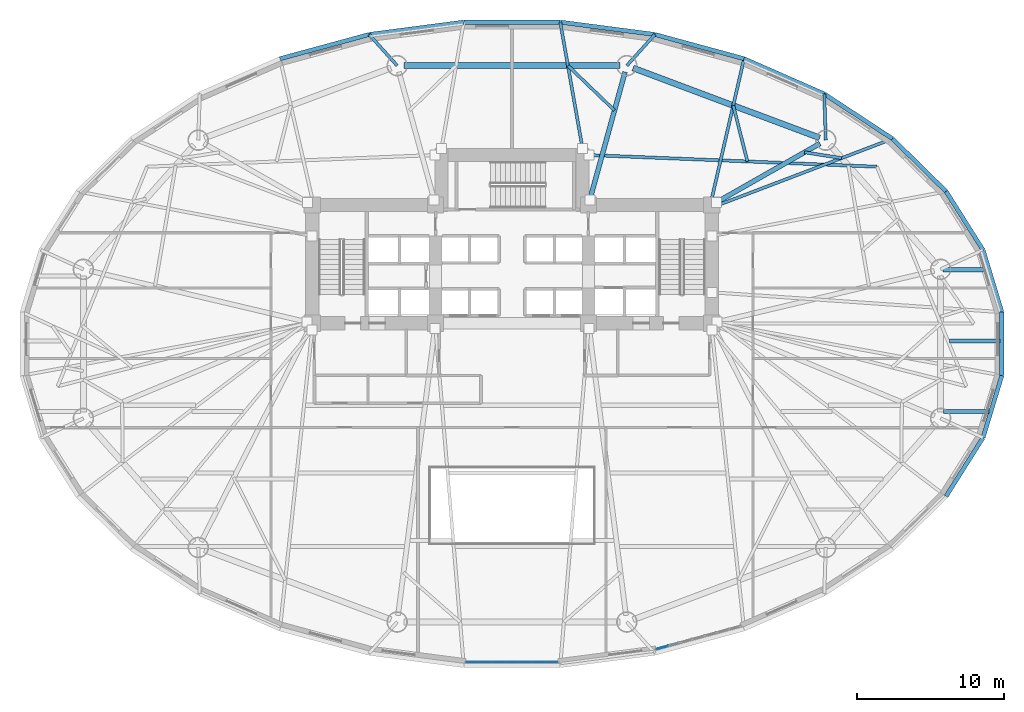
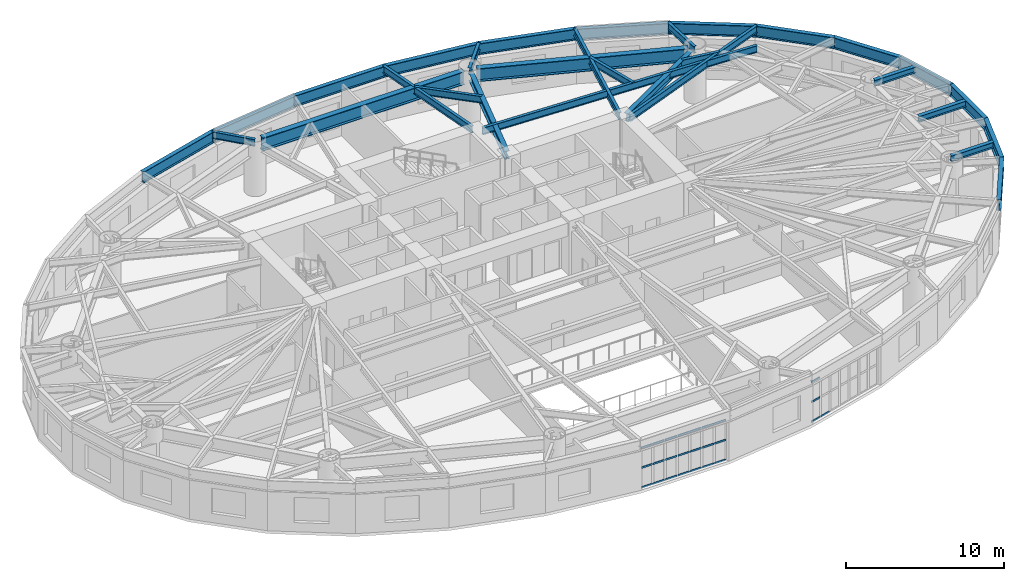
# One storey, part 6 of 19: 30 beams, 25 members, 2 elements without a shape of their own.
"""IFC4 building model written with IfcOpenShell, lengths in metres."""

from ifc_helpers import new_model, si_unit, direction, frame, origin, origin_2d, place, context, subcontext, project, spatial, rectangle, i_section, extrude, material, layer, layer_set, material_profile, profile_set, type_object, element, aggregate, save


model = new_model("IFC4")

# Units and contexts
model_context = context("Model", 3, precision=1e-05, world=origin(), true_north=direction((0.0, 1.0)))
body_context = subcontext(model_context, "Body", "Model", "MODEL_VIEW")
ifc_project = project(units=[si_unit("LENGTHUNIT", "METRE"), si_unit("AREAUNIT", "SQUARE_METRE"), si_unit("VOLUMEUNIT", "CUBIC_METRE"), si_unit("PLANEANGLEUNIT", "RADIAN"), si_unit("MASSUNIT", "GRAM", prefix="KILO")], contexts=[model_context])

# Site, building, storey
site_placement = place(None, origin())
site = spatial("IfcSite", under=ifc_project, at=site_placement, CompositionType="ELEMENT")
building_placement = place(site_placement, origin())
building = spatial("IfcBuilding", under=site, at=building_placement, Name="Keldmark Tower", CompositionType="ELEMENT")
storey_placement = place(building_placement, frame((0.0, 0.0, 10.199951171875)))
storey = spatial("IfcBuildingStorey", under=building, at=storey_placement, Name="L02", CompositionType="ELEMENT", Elevation=10.199951171875)

# Beams
ifc_material_1 = material(Name="Steel ASTM A992 Grade 50", Category="steel")
ifc_material_profile_1 = material_profile(ifc_material_1, i_section(OverallWidth=0.280029296875, OverallDepth=0.462890625, WebThickness=0.0107421875, FlangeThickness=0.017333984375, at=origin_2d()), Name="W18X76")
ifc_profile_set_1 = profile_set([ifc_material_profile_1], Name="Steel ASTM A992 Grade 50")
beam_type_1 = type_object("IfcBeamType", Name="Composite Floor Joist W18X76", PredefinedType="JOIST", material=ifc_profile_set_1)
beam_1_placement = place(storey_placement, frame((29.363037109375, -4.60009765625, 3.74853515625), z_axis=(1.0, 0.0, 0.0), x_axis=(0.0, 1.0, 0.0)))
element("IfcBeam", 1, at=beam_1_placement, inside=storey, type_object=beam_type_1, Name="L02 Composite Floor Joist J25", PredefinedType="JOIST", context=body_context, shape_type="SweptSolid", body=[
    extrude(i_section(OverallWidth=0.280029296875, OverallDepth=0.462890625, WebThickness=0.0107421875, FlangeThickness=0.017333984375, at=origin_2d()), origin(), (0.0, 0.0, 1.0), 3.092041015625),
])
beam_2_placement = place(storey_placement, frame((29.77001953125, 0.199951171875, 3.74853515625), z_axis=(1.0, 0.0, 0.0), x_axis=(0.0, 1.0, 0.0)))
element("IfcBeam", 2, at=beam_2_placement, inside=storey, type_object=beam_type_1, Name="L02 Composite Floor Joist J27", PredefinedType="JOIST", context=body_context, shape_type="SweptSolid", body=[
    extrude(i_section(OverallWidth=0.280029296875, OverallDepth=0.462890625, WebThickness=0.0107421875, FlangeThickness=0.017333984375, at=origin_2d()), origin(), (0.0, 0.0, 1.0), 3.431640625),
])
beam_3_placement = place(storey_placement, frame((29.337646484375, 5.0400390625, 3.74853515625), z_axis=(1.0, 0.0, 0.0), x_axis=(0.0, 1.0, 0.0)))
element("IfcBeam", 3, at=beam_3_placement, inside=storey, type_object=beam_type_1, Name="L02 Composite Floor Joist J29", PredefinedType="JOIST", context=body_context, shape_type="SweptSolid", body=[
    extrude(i_section(OverallWidth=0.280029296875, OverallDepth=0.462890625, WebThickness=0.0107421875, FlangeThickness=0.017333984375, at=origin_2d()), origin(), (0.0, 0.0, 1.0), 2.984375),
])

# Curtain wall, members
ifc_material_2 = material(Name="Unitized Thermally Broken Aluminum and Triple Low-E Glazing", Category="aluminium")
ifc_layer = layer(ifc_material_2, 0.219970703125)
ifc_layer_set = layer_set([ifc_layer], Name="Unitized Thermally Broken Aluminum and Triple Low-E Glazing")
curtain_wall_type = type_object("IfcCurtainWallType", Name="Podium Wintergarden Curtain Wall System", PredefinedType="NOTDEFINED", material=ifc_layer_set)
curtain_wall_1_placement = place(storey_placement, origin())
curtain_wall_1 = element("IfcCurtainWall", 4, at=curtain_wall_1_placement, inside=storey, type_object=curtain_wall_type, Name="L02 Podium Wintergarden Curtain Wall System CW-L02-24", PredefinedType="NOTDEFINED")
ifc_material_3 = material(Name="Extruded Aluminum Alloy 6063-T6", Category="aluminium")
ifc_material_profile_2 = material_profile(ifc_material_3, rectangle(XDim=0.06005859375, YDim=0.139892578125, at=origin_2d()), Name="CWT60X140")
ifc_profile_set_2 = profile_set([ifc_material_profile_2], Name="Extruded Aluminum Alloy 6063-T6")
member_type = type_object("IfcMemberType", Name="Curtain Wall Horizontal Transom 60x140", PredefinedType="USERDEFINED", material=ifc_profile_set_2)
member_1_placement = place(storey_placement, frame((3.08349609375, -21.654052734375, 0.030029296875), z_axis=(-1.0, 0.0, 0.0), x_axis=(0.0, -1.0, 0.0)))
member_1 = element("IfcMember", 5, at=member_1_placement, type_object=member_type, Name="CW transom 1.1", ObjectType="TRANSOM", PredefinedType="USERDEFINED", context=body_context, shape_type="SweptSolid", body=[
    extrude(rectangle(XDim=0.06005859375, YDim=0.139892578125, at=origin_2d()), origin(), (0.0, 0.0, 1.0), 0.80810546875),
])
member_2_placement = place(storey_placement, frame((3.08349609375, -21.654052734375, 1.554443359375), z_axis=(-1.0, 0.0, 0.0), x_axis=(0.0, -1.0, 0.0)))
member_2 = element("IfcMember", 6, at=member_2_placement, type_object=member_type, Name="CW transom 1.2", ObjectType="TRANSOM", PredefinedType="USERDEFINED", context=body_context, shape_type="SweptSolid", body=[
    extrude(rectangle(XDim=0.06005859375, YDim=0.139892578125, at=origin_2d()), origin(), (0.0, 0.0, 1.0), 0.80810546875),
])
member_3_placement = place(storey_placement, frame((3.08349609375, -21.654052734375, 3.0791015625), z_axis=(-1.0, 0.0, 0.0), x_axis=(0.0, -1.0, 0.0)))
member_3 = element("IfcMember", 7, at=member_3_placement, type_object=member_type, Name="CW transom 1.3", ObjectType="TRANSOM", PredefinedType="USERDEFINED", context=body_context, shape_type="SweptSolid", body=[
    extrude(rectangle(XDim=0.06005859375, YDim=0.139892578125, at=origin_2d()), origin(), (0.0, 0.0, 1.0), 0.80810546875),
])
member_4_placement = place(storey_placement, frame((2.21533203125, -21.654052734375, 0.030029296875), z_axis=(-1.0, 0.0, 0.0), x_axis=(0.0, -1.0, 0.0)))
member_4 = element("IfcMember", 8, at=member_4_placement, type_object=member_type, Name="CW transom 2.1", ObjectType="TRANSOM", PredefinedType="USERDEFINED", context=body_context, shape_type="SweptSolid", body=[
    extrude(rectangle(XDim=0.06005859375, YDim=0.139892578125, at=origin_2d()), origin(), (0.0, 0.0, 1.0), 0.838134765625),
])
member_5_placement = place(storey_placement, frame((2.21533203125, -21.654052734375, 1.554443359375), z_axis=(-1.0, 0.0, 0.0), x_axis=(0.0, -1.0, 0.0)))
member_5 = element("IfcMember", 9, at=member_5_placement, type_object=member_type, Name="CW transom 2.2", ObjectType="TRANSOM", PredefinedType="USERDEFINED", context=body_context, shape_type="SweptSolid", body=[
    extrude(rectangle(XDim=0.06005859375, YDim=0.139892578125, at=origin_2d()), origin(), (0.0, 0.0, 1.0), 0.838134765625),
])
member_6_placement = place(storey_placement, frame((2.21533203125, -21.654052734375, 3.0791015625), z_axis=(-1.0, 0.0, 0.0), x_axis=(0.0, -1.0, 0.0)))
member_6 = element("IfcMember", 10, at=member_6_placement, type_object=member_type, Name="CW transom 2.3", ObjectType="TRANSOM", PredefinedType="USERDEFINED", context=body_context, shape_type="SweptSolid", body=[
    extrude(rectangle(XDim=0.06005859375, YDim=0.139892578125, at=origin_2d()), origin(), (0.0, 0.0, 1.0), 0.838134765625),
])
member_7_placement = place(storey_placement, frame((1.317138671875, -21.654052734375, 0.030029296875), z_axis=(-1.0, 0.0, 0.0), x_axis=(0.0, -1.0, 0.0)))
member_7 = element("IfcMember", 11, at=member_7_placement, type_object=member_type, Name="CW transom 3.1", ObjectType="TRANSOM", PredefinedType="USERDEFINED", context=body_context, shape_type="SweptSolid", body=[
    extrude(rectangle(XDim=0.06005859375, YDim=0.139892578125, at=origin_2d()), origin(), (0.0, 0.0, 1.0), 0.838134765625),
])
member_8_placement = place(storey_placement, frame((1.317138671875, -21.654052734375, 1.554443359375), z_axis=(-1.0, 0.0, 0.0), x_axis=(0.0, -1.0, 0.0)))
member_8 = element("IfcMember", 12, at=member_8_placement, type_object=member_type, Name="CW transom 3.2", ObjectType="TRANSOM", PredefinedType="USERDEFINED", context=body_context, shape_type="SweptSolid", body=[
    extrude(rectangle(XDim=0.06005859375, YDim=0.139892578125, at=origin_2d()), origin(), (0.0, 0.0, 1.0), 0.838134765625),
])
member_9_placement = place(storey_placement, frame((1.317138671875, -21.654052734375, 3.0791015625), z_axis=(-1.0, 0.0, 0.0), x_axis=(0.0, -1.0, 0.0)))
member_9 = element("IfcMember", 13, at=member_9_placement, type_object=member_type, Name="CW transom 3.3", ObjectType="TRANSOM", PredefinedType="USERDEFINED", context=body_context, shape_type="SweptSolid", body=[
    extrude(rectangle(XDim=0.06005859375, YDim=0.139892578125, at=origin_2d()), origin(), (0.0, 0.0, 1.0), 0.838134765625),
])
member_10_placement = place(storey_placement, frame((0.419189453125, -21.654052734375, 0.030029296875), z_axis=(-1.0, 0.0, 0.0), x_axis=(0.0, -1.0, 0.0)))
member_10 = element("IfcMember", 14, at=member_10_placement, type_object=member_type, Name="CW transom 4.1", ObjectType="TRANSOM", PredefinedType="USERDEFINED", context=body_context, shape_type="SweptSolid", body=[
    extrude(rectangle(XDim=0.06005859375, YDim=0.139892578125, at=origin_2d()), origin(), (0.0, 0.0, 1.0), 0.83837890625),
])
member_11_placement = place(storey_placement, frame((0.419189453125, -21.654052734375, 1.554443359375), z_axis=(-1.0, 0.0, 0.0), x_axis=(0.0, -1.0, 0.0)))
member_11 = element("IfcMember", 15, at=member_11_placement, type_object=member_type, Name="CW transom 4.2", ObjectType="TRANSOM", PredefinedType="USERDEFINED", context=body_context, shape_type="SweptSolid", body=[
    extrude(rectangle(XDim=0.06005859375, YDim=0.139892578125, at=origin_2d()), origin(), (0.0, 0.0, 1.0), 0.83837890625),
])
member_12_placement = place(storey_placement, frame((0.419189453125, -21.654052734375, 3.0791015625), z_axis=(-1.0, 0.0, 0.0), x_axis=(0.0, -1.0, 0.0)))
member_12 = element("IfcMember", 16, at=member_12_placement, type_object=member_type, Name="CW transom 4.3", ObjectType="TRANSOM", PredefinedType="USERDEFINED", context=body_context, shape_type="SweptSolid", body=[
    extrude(rectangle(XDim=0.06005859375, YDim=0.139892578125, at=origin_2d()), origin(), (0.0, 0.0, 1.0), 0.83837890625),
])
member_13_placement = place(storey_placement, frame((-0.47900390625, -21.654052734375, 0.030029296875), z_axis=(-1.0, 0.0, 0.0), x_axis=(0.0, -1.0, 0.0)))
member_13 = element("IfcMember", 17, at=member_13_placement, type_object=member_type, Name="CW transom 5.1", ObjectType="TRANSOM", PredefinedType="USERDEFINED", context=body_context, shape_type="SweptSolid", body=[
    extrude(rectangle(XDim=0.06005859375, YDim=0.139892578125, at=origin_2d()), origin(), (0.0, 0.0, 1.0), 0.838134765625),
])
member_14_placement = place(storey_placement, frame((-0.47900390625, -21.654052734375, 1.554443359375), z_axis=(-1.0, 0.0, 0.0), x_axis=(0.0, -1.0, 0.0)))
member_14 = element("IfcMember", 18, at=member_14_placement, type_object=member_type, Name="CW transom 5.2", ObjectType="TRANSOM", PredefinedType="USERDEFINED", context=body_context, shape_type="SweptSolid", body=[
    extrude(rectangle(XDim=0.06005859375, YDim=0.139892578125, at=origin_2d()), origin(), (0.0, 0.0, 1.0), 0.838134765625),
])
member_15_placement = place(storey_placement, frame((-0.47900390625, -21.654052734375, 3.0791015625), z_axis=(-1.0, 0.0, 0.0), x_axis=(0.0, -1.0, 0.0)))
member_15 = element("IfcMember", 19, at=member_15_placement, type_object=member_type, Name="CW transom 5.3", ObjectType="TRANSOM", PredefinedType="USERDEFINED", context=body_context, shape_type="SweptSolid", body=[
    extrude(rectangle(XDim=0.06005859375, YDim=0.139892578125, at=origin_2d()), origin(), (0.0, 0.0, 1.0), 0.838134765625),
])
member_16_placement = place(storey_placement, frame((-1.377197265625, -21.654052734375, 0.030029296875), z_axis=(-1.0, 0.0, 0.0), x_axis=(0.0, -1.0, 0.0)))
member_16 = element("IfcMember", 20, at=member_16_placement, type_object=member_type, Name="CW transom 6.1", ObjectType="TRANSOM", PredefinedType="USERDEFINED", context=body_context, shape_type="SweptSolid", body=[
    extrude(rectangle(XDim=0.06005859375, YDim=0.139892578125, at=origin_2d()), origin(), (0.0, 0.0, 1.0), 0.838134765625),
])
member_17_placement = place(storey_placement, frame((-1.377197265625, -21.654052734375, 1.554443359375), z_axis=(-1.0, 0.0, 0.0), x_axis=(0.0, -1.0, 0.0)))
member_17 = element("IfcMember", 21, at=member_17_placement, type_object=member_type, Name="CW transom 6.2", ObjectType="TRANSOM", PredefinedType="USERDEFINED", context=body_context, shape_type="SweptSolid", body=[
    extrude(rectangle(XDim=0.06005859375, YDim=0.139892578125, at=origin_2d()), origin(), (0.0, 0.0, 1.0), 0.838134765625),
])
member_18_placement = place(storey_placement, frame((-1.377197265625, -21.654052734375, 3.0791015625), z_axis=(-1.0, 0.0, 0.0), x_axis=(0.0, -1.0, 0.0)))
member_18 = element("IfcMember", 22, at=member_18_placement, type_object=member_type, Name="CW transom 6.3", ObjectType="TRANSOM", PredefinedType="USERDEFINED", context=body_context, shape_type="SweptSolid", body=[
    extrude(rectangle(XDim=0.06005859375, YDim=0.139892578125, at=origin_2d()), origin(), (0.0, 0.0, 1.0), 0.838134765625),
])
member_19_placement = place(storey_placement, frame((-2.275390625, -21.654052734375, 0.030029296875), z_axis=(-1.0, 0.0, 0.0), x_axis=(0.0, -1.0, 0.0)))
member_19 = element("IfcMember", 23, at=member_19_placement, type_object=member_type, Name="CW transom 7.1", ObjectType="TRANSOM", PredefinedType="USERDEFINED", context=body_context, shape_type="SweptSolid", body=[
    extrude(rectangle(XDim=0.06005859375, YDim=0.139892578125, at=origin_2d()), origin(), (0.0, 0.0, 1.0), 0.80810546875),
])
member_20_placement = place(storey_placement, frame((-2.275390625, -21.654052734375, 1.554443359375), z_axis=(-1.0, 0.0, 0.0), x_axis=(0.0, -1.0, 0.0)))
member_20 = element("IfcMember", 24, at=member_20_placement, type_object=member_type, Name="CW transom 7.2", ObjectType="TRANSOM", PredefinedType="USERDEFINED", context=body_context, shape_type="SweptSolid", body=[
    extrude(rectangle(XDim=0.06005859375, YDim=0.139892578125, at=origin_2d()), origin(), (0.0, 0.0, 1.0), 0.80810546875),
])
member_21_placement = place(storey_placement, frame((-2.275390625, -21.654052734375, 3.0791015625), z_axis=(-1.0, 0.0, 0.0), x_axis=(0.0, -1.0, 0.0)))
member_21 = element("IfcMember", 25, at=member_21_placement, type_object=member_type, Name="CW transom 7.3", ObjectType="TRANSOM", PredefinedType="USERDEFINED", context=body_context, shape_type="SweptSolid", body=[
    extrude(rectangle(XDim=0.06005859375, YDim=0.139892578125, at=origin_2d()), origin(), (0.0, 0.0, 1.0), 0.80810546875),
])
aggregate(curtain_wall_1, [member_1, member_2, member_3, member_4, member_5, member_6, member_7, member_8, member_9, member_10, member_11, member_12, member_13, member_14, member_15, member_16, member_17, member_18, member_19, member_20, member_21])

curtain_wall_2_placement = place(storey_placement, origin())
curtain_wall_2 = element("IfcCurtainWall", 26, at=curtain_wall_2_placement, inside=storey, type_object=curtain_wall_type, Name="L02 Podium Wintergarden Curtain Wall System CW-L02-26", PredefinedType="NOTDEFINED")
member_22_placement = place(storey_placement, frame((11.424072265625, -20.341796875, 0.030029296875), z_axis=(-0.964954135758, -0.262418589059, 0.0), x_axis=(0.262418589059, -0.964954135758, 0.0)))
member_22 = element("IfcMember", 27, at=member_22_placement, type_object=member_type, Name="CW transom 6.1", ObjectType="TRANSOM", PredefinedType="USERDEFINED", context=body_context, shape_type="SweptSolid", body=[
    extrude(rectangle(XDim=0.06005859375, YDim=0.139892578125, at=origin_2d()), origin(), (0.0, 0.0, 1.0), 0.79833984375),
])
member_23_placement = place(storey_placement, frame((10.595703125, -20.56689453125, 0.030029296875), z_axis=(-0.964924998517, -0.262525707765, 0.0), x_axis=(0.262525707765, -0.964924998517, 0.0)))
member_23 = element("IfcMember", 28, at=member_23_placement, type_object=member_type, Name="CW transom 7.1", ObjectType="TRANSOM", PredefinedType="USERDEFINED", context=body_context, shape_type="SweptSolid", body=[
    extrude(rectangle(XDim=0.06005859375, YDim=0.139892578125, at=origin_2d()), origin(), (0.0, 0.0, 1.0), 0.76806640625),
])
member_24_placement = place(storey_placement, frame((10.595703125, -20.56689453125, 1.554443359375), z_axis=(-0.964924998517, -0.262525707765, 0.0), x_axis=(0.262525707765, -0.964924998517, 0.0)))
member_24 = element("IfcMember", 29, at=member_24_placement, type_object=member_type, Name="CW transom 7.2", ObjectType="TRANSOM", PredefinedType="USERDEFINED", context=body_context, shape_type="SweptSolid", body=[
    extrude(rectangle(XDim=0.06005859375, YDim=0.139892578125, at=origin_2d()), origin(), (0.0, 0.0, 1.0), 0.76806640625),
])
member_25_placement = place(storey_placement, frame((10.595703125, -20.56689453125, 3.0791015625), z_axis=(-0.964924998517, -0.262525707765, 0.0), x_axis=(0.262525707765, -0.964924998517, 0.0)))
member_25 = element("IfcMember", 30, at=member_25_placement, type_object=member_type, Name="CW transom 7.3", ObjectType="TRANSOM", PredefinedType="USERDEFINED", context=body_context, shape_type="SweptSolid", body=[
    extrude(rectangle(XDim=0.06005859375, YDim=0.139892578125, at=origin_2d()), origin(), (0.0, 0.0, 1.0), 0.76806640625),
])
aggregate(curtain_wall_2, [member_22, member_23, member_24, member_25])

# Beams
ifc_material_4 = material(Name="Steel ASTM A992 Grade 50", Category="steel")
ifc_material_profile_3 = material_profile(ifc_material_4, i_section(OverallWidth=0.402099609375, OverallDepth=1.011962890625, WebThickness=0.023681640625, FlangeThickness=0.0419921875, at=origin_2d()), Name="W40X297")
ifc_profile_set_3 = profile_set([ifc_material_profile_3], Name="Steel ASTM A992 Grade 50")
beam_type_2 = type_object("IfcBeamType", Name="Podium Primary Girder W40X297", PredefinedType="BEAM", material=ifc_profile_set_3)
beam_4_placement = place(storey_placement, frame((20.93310546875, 14.01708984375, 3.47412109375), z_axis=(-0.936417954382, 0.350886612329, 0.0), x_axis=(-0.350886612329, -0.936417954382, 0.0)))
element("IfcBeam", 31, at=beam_4_placement, inside=storey, type_object=beam_type_2, Name="L02 Podium Ring Girder PG-R02", PredefinedType="BEAM", context=body_context, shape_type="SweptSolid", body=[
    extrude(i_section(OverallWidth=0.402099609375, OverallDepth=1.011962890625, WebThickness=0.023681640625, FlangeThickness=0.0419921875, at=origin_2d()), origin(), (0.0, 0.0, 1.0), 13.557373046875),
])
beam_5_placement = place(storey_placement, frame((7.3662109375, 18.93212890625, 3.47412109375), z_axis=(-1.0, 0.0, 0.0), x_axis=(0.0, -1.0, 0.0)))
element("IfcBeam", 32, at=beam_5_placement, inside=storey, type_object=beam_type_2, Name="L02 Podium Ring Girder PG-R03", PredefinedType="BEAM", context=body_context, shape_type="SweptSolid", body=[
    extrude(i_section(OverallWidth=0.402099609375, OverallDepth=1.011962890625, WebThickness=0.023681640625, FlangeThickness=0.0419921875, at=origin_2d()), origin(), (0.0, 0.0, 1.0), 14.732421875),
])
ifc_material_5 = material(Name="Steel ASTM A992 Grade 50", Category="steel")
ifc_material_profile_4 = material_profile(ifc_material_5, i_section(OverallWidth=0.2099609375, OverallDepth=0.537109375, WebThickness=0.010986328125, FlangeThickness=0.017333984375, at=origin_2d()), Name="W21X68")
ifc_profile_set_4 = profile_set([ifc_material_profile_4], Name="Steel ASTM A992 Grade 50")
beam_type_3 = type_object("IfcBeamType", Name="Radial Tie Girder W21X68", PredefinedType="BEAM", material=ifc_profile_set_4)
beam_6_placement = place(storey_placement, frame((5.25, 12.85009765625, 3.711669921875), z_axis=(0.999176318744, -0.040579355112, 0.0), x_axis=(0.040579355112, 0.999176318744, 0.0)))
element("IfcBeam", 33, at=beam_6_placement, inside=storey, type_object=beam_type_3, Name="L02 Sub-Ring Step Girder STP1-M01", PredefinedType="BEAM", context=body_context, shape_type="SweptSolid", body=[
    extrude(i_section(OverallWidth=0.2099609375, OverallDepth=0.537109375, WebThickness=0.010986328125, FlangeThickness=0.017333984375, at=origin_2d()), origin(), (0.0, 0.0, 1.0), 19.601318359375),
])
beam_7_placement = place(storey_placement, frame((19.904541015625, 13.034912109375, 3.711669921875), z_axis=(0.988136063904, -0.153580985843, 0.0), x_axis=(0.153580985843, 0.988136063904, 0.0)))
element("IfcBeam", 34, at=beam_7_placement, inside=storey, type_object=beam_type_3, Name="L02 Framing Pin Header PH-010", PredefinedType="BEAM", context=body_context, shape_type="SweptSolid", body=[
    extrude(i_section(OverallWidth=0.2099609375, OverallDepth=0.537109375, WebThickness=0.010986328125, FlangeThickness=0.017333984375, at=origin_2d()), origin(), (0.0, 0.0, 1.0), 2.564208984375),
])
beam_8_placement = place(storey_placement, frame((14.050048828125, 9.449951171875, 3.711669921875), z_axis=(0.934642662924, 0.355588375293, 0.0), x_axis=(-0.355588375293, 0.934642662924, 0.0)))
element("IfcBeam", 35, at=beam_8_placement, inside=storey, type_object=beam_type_3, Name="L02 Perimeter Radial Tie Girder RT-04", PredefinedType="BEAM", context=body_context, shape_type="SweptSolid", body=[
    extrude(i_section(OverallWidth=0.2099609375, OverallDepth=0.537109375, WebThickness=0.010986328125, FlangeThickness=0.017333984375, at=origin_2d()), origin(), (0.0, 0.0, 1.0), 12.67431640625),
])
beam_9_placement = place(storey_placement, frame((21.3544921875, 13.859375, 3.711669921875), z_axis=(-0.032491176768, 0.999472022336, 0.0), x_axis=(-0.999472022336, -0.032491176768, 0.0)))
element("IfcBeam", 36, at=beam_9_placement, inside=storey, type_object=beam_type_3, Name="L02 Perimeter Column Bracket RT-05", PredefinedType="BEAM", context=body_context, shape_type="SweptSolid", body=[
    extrude(i_section(OverallWidth=0.2099609375, OverallDepth=0.537109375, WebThickness=0.010986328125, FlangeThickness=0.017333984375, at=origin_2d()), origin(), (0.0, 0.0, 1.0), 3.1484375),
])
beam_10_placement = place(storey_placement, frame((16.02197265625, 12.41259765625, 3.711669921875), z_axis=(-0.245606779521, 0.969369542462, 0.0), x_axis=(-0.969369542462, -0.245606779521, 0.0)))
element("IfcBeam", 37, at=beam_10_placement, inside=storey, type_object=beam_type_3, Name="L02 Framing Pin Header PH-011", PredefinedType="BEAM", context=body_context, shape_type="SweptSolid", body=[
    extrude(i_section(OverallWidth=0.2099609375, OverallDepth=0.537109375, WebThickness=0.010986328125, FlangeThickness=0.017333984375, at=origin_2d()), origin(), (0.0, 0.0, 1.0), 3.926513671875),
])
beam_11_placement = place(storey_placement, frame((13.60009765625, 9.89990234375, 3.711669921875), z_axis=(0.224740658325, 0.974418614608, 0.0), x_axis=(-0.974418614608, 0.224740658325, 0.0)))
element("IfcBeam", 38, at=beam_11_placement, inside=storey, type_object=beam_type_3, Name="L02 Perimeter Radial Tie Girder RT-06", PredefinedType="BEAM", context=body_context, shape_type="SweptSolid", body=[
    extrude(i_section(OverallWidth=0.2099609375, OverallDepth=0.537109375, WebThickness=0.010986328125, FlangeThickness=0.017333984375, at=origin_2d()), origin(), (0.0, 0.0, 1.0), 9.751953125),
])
beam_12_placement = place(storey_placement, frame((7.81640625, 18.93212890625, 3.711669921875), z_axis=(0.668898533975, 0.743353718795, 0.0), x_axis=(-0.743353718795, 0.668898533975, 0.0)))
element("IfcBeam", 39, at=beam_12_placement, inside=storey, type_object=beam_type_3, Name="L02 Perimeter Column Bracket RT-07", PredefinedType="BEAM", context=body_context, shape_type="SweptSolid", body=[
    extrude(i_section(OverallWidth=0.2099609375, OverallDepth=0.537109375, WebThickness=0.010986328125, FlangeThickness=0.017333984375, at=origin_2d()), origin(), (0.0, 0.0, 1.0), 2.852783203125),
])
beam_13_placement = place(storey_placement, frame((6.9755859375, 15.885009765625, 3.711669921875), z_axis=(-0.720880013375, 0.69305988653, 0.0), x_axis=(-0.69305988653, -0.720880013375, 0.0)))
element("IfcBeam", 40, at=beam_13_placement, inside=storey, type_object=beam_type_3, Name="L02 Framing Pin Header PH-012", PredefinedType="BEAM", context=body_context, shape_type="SweptSolid", body=[
    extrude(i_section(OverallWidth=0.2099609375, OverallDepth=0.537109375, WebThickness=0.010986328125, FlangeThickness=0.017333984375, at=origin_2d()), origin(), (0.0, 0.0, 1.0), 4.396728515625),
])
beam_14_placement = place(storey_placement, frame((4.800048828125, 13.300048828125, 3.711669921875), z_axis=(-0.173759798583, 0.984788064711, 0.0), x_axis=(-0.984788064711, -0.173759798583, 0.0)))
element("IfcBeam", 41, at=beam_14_placement, inside=storey, type_object=beam_type_3, Name="L02 Perimeter Radial Tie Girder RT-08", PredefinedType="BEAM", context=body_context, shape_type="SweptSolid", body=[
    extrude(i_section(OverallWidth=0.2099609375, OverallDepth=0.537109375, WebThickness=0.010986328125, FlangeThickness=0.017333984375, at=origin_2d()), origin(), (0.0, 0.0, 1.0), 8.726806640625),
])
beam_15_placement = place(storey_placement, frame((-7.81640625, 18.93212890625, 3.711669921875), z_axis=(-0.668898533975, 0.743353718795, 0.0), x_axis=(-0.743353718795, -0.668898533975, 0.0)))
element("IfcBeam", 42, at=beam_15_placement, inside=storey, type_object=beam_type_3, Name="L02 Perimeter Column Bracket RT-10", PredefinedType="BEAM", context=body_context, shape_type="SweptSolid", body=[
    extrude(i_section(OverallWidth=0.2099609375, OverallDepth=0.537109375, WebThickness=0.010986328125, FlangeThickness=0.017333984375, at=origin_2d()), origin(), (0.0, 0.0, 1.0), 2.852783203125),
])
ifc_material_6 = material(Name="Steel ASTM A992 Grade 50", Category="steel")
ifc_material_profile_5 = material_profile(ifc_material_6, i_section(OverallWidth=0.326904296875, OverallDepth=0.6220703125, WebThickness=0.015380859375, FlangeThickness=0.0244140625, at=origin_2d()), Name="W24X131")
ifc_profile_set_5 = profile_set([ifc_material_profile_5], Name="Steel ASTM A992 Grade 50")
beam_type_4 = type_object("IfcBeamType", Name="Spandrel Ring Beam W24X131", PredefinedType="SPANDREL", material=ifc_profile_set_5)
beam_16_placement = place(storey_placement, frame((20.96337890625, 13.636962890625, 3.6689453125), z_axis=(-0.869293918493, -0.494295542434, 0.0), x_axis=(0.494295542434, -0.869293918493, 0.0)))
element("IfcBeam", 43, at=beam_16_placement, inside=storey, type_object=beam_type_4, Name="L02 Podium Radial Girder PG-C02", PredefinedType="SPANDREL", context=body_context, shape_type="SweptSolid", body=[
    extrude(i_section(OverallWidth=0.326904296875, OverallDepth=0.6220703125, WebThickness=0.015380859375, FlangeThickness=0.0244140625, at=origin_2d()), origin(), (0.0, 0.0, 1.0), 8.120361328125),
])
beam_17_placement = place(storey_placement, frame((7.696533203125, 18.498291015625, 3.6689453125), z_axis=(-0.265960165124, -0.963984019871, 0.0), x_axis=(0.963984019871, -0.265960165124, 0.0)))
element("IfcBeam", 44, at=beam_17_placement, inside=storey, type_object=beam_type_4, Name="L02 Podium Radial Girder PG-C03", PredefinedType="SPANDREL", context=body_context, shape_type="SweptSolid", body=[
    extrude(i_section(OverallWidth=0.326904296875, OverallDepth=0.6220703125, WebThickness=0.015380859375, FlangeThickness=0.0244140625, at=origin_2d()), origin(), (0.0, 0.0, 1.0), 9.036376953125),
])
ifc_material_7 = material(Name="Steel ASTM A992 Grade 50", Category="steel")
ifc_material_profile_6 = material_profile(ifc_material_7, i_section(OverallWidth=0.2919921875, OverallDepth=0.85888671875, WebThickness=0.01708984375, FlangeThickness=0.031005859375, at=origin_2d()), Name="W33X169")
ifc_profile_set_6 = profile_set([ifc_material_profile_6], Name="Steel ASTM A992 Grade 50")
beam_type_5 = type_object("IfcBeamType", Name="Spandrel Ring Beam W33X169", PredefinedType="SPANDREL", material=ifc_profile_set_6)
beam_18_placement = place(storey_placement, frame((33.338623046875, 2.156494140625, 3.550537109375), z_axis=(-0.289855603468, 0.957070388811, 0.0), x_axis=(-0.957070388811, -0.289855603468, 0.0)))
element("IfcBeam", 45, at=beam_18_placement, inside=storey, type_object=beam_type_5, Name="L02 Perimeter Spandrel Ring Beam SRB-01", PredefinedType="SPANDREL", context=body_context, shape_type="SweptSolid", body=[
    extrude(i_section(OverallWidth=0.2919921875, OverallDepth=0.85888671875, WebThickness=0.01708984375, FlangeThickness=0.031005859375, at=origin_2d()), origin(), (0.0, 0.0, 1.0), 4.41943359375),
])
beam_19_placement = place(storey_placement, frame((32.0576171875, 6.38623046875, 3.550537109375), z_axis=(-0.53349762721, 0.845801561693, 0.0), x_axis=(-0.845801561693, -0.53349762721, 0.0)))
element("IfcBeam", 46, at=beam_19_placement, inside=storey, type_object=beam_type_5, Name="L02 Perimeter Spandrel Ring Beam SRB-02", PredefinedType="SPANDREL", context=body_context, shape_type="SweptSolid", body=[
    extrude(i_section(OverallWidth=0.2919921875, OverallDepth=0.85888671875, WebThickness=0.01708984375, FlangeThickness=0.031005859375, at=origin_2d()), origin(), (0.0, 0.0, 1.0), 4.710693359375),
])
beam_20_placement = place(storey_placement, frame((29.54443359375, 10.37060546875, 3.550537109375), z_axis=(-0.713165222071, 0.700995981464, 0.0), x_axis=(-0.700995981464, -0.713165222071, 0.0)))
element("IfcBeam", 47, at=beam_20_placement, inside=storey, type_object=beam_type_5, Name="L02 Perimeter Spandrel Ring Beam SRB-03", PredefinedType="SPANDREL", context=body_context, shape_type="SweptSolid", body=[
    extrude(i_section(OverallWidth=0.2919921875, OverallDepth=0.85888671875, WebThickness=0.01708984375, FlangeThickness=0.031005859375, at=origin_2d()), origin(), (0.0, 0.0, 1.0), 5.11572265625),
])
beam_21_placement = place(storey_placement, frame((25.89599609375, 13.956787109375, 3.550537109375), z_axis=(-0.835897322981, 0.548885840073, 0.0), x_axis=(-0.548885840073, -0.835897322981, 0.0)))
element("IfcBeam", 48, at=beam_21_placement, inside=storey, type_object=beam_type_5, Name="L02 Perimeter Spandrel Ring Beam SRB-04", PredefinedType="SPANDREL", context=body_context, shape_type="SweptSolid", body=[
    extrude(i_section(OverallWidth=0.2919921875, OverallDepth=0.85888671875, WebThickness=0.01708984375, FlangeThickness=0.031005859375, at=origin_2d()), origin(), (0.0, 0.0, 1.0), 5.555419921875),
])
beam_22_placement = place(storey_placement, frame((21.252197265625, 17.006103515625, 3.550537109375), z_axis=(-0.91570760638, 0.401845218484, 0.0), x_axis=(-0.401845218484, -0.91570760638, 0.0)))
element("IfcBeam", 49, at=beam_22_placement, inside=storey, type_object=beam_type_5, Name="L02 Perimeter Spandrel Ring Beam SRB-05", PredefinedType="SPANDREL", context=body_context, shape_type="SweptSolid", body=[
    extrude(i_section(OverallWidth=0.2919921875, OverallDepth=0.85888671875, WebThickness=0.01708984375, FlangeThickness=0.031005859375, at=origin_2d()), origin(), (0.0, 0.0, 1.0), 5.963134765625),
])
beam_23_placement = place(storey_placement, frame((15.791748046875, 19.40234375, 3.550537109375), z_axis=(-0.964936550718, 0.262483243445, 0.0), x_axis=(-0.262483243445, -0.964936550718, 0.0)))
element("IfcBeam", 50, at=beam_23_placement, inside=storey, type_object=beam_type_5, Name="L02 Perimeter Spandrel Ring Beam SRB-06", PredefinedType="SPANDREL", context=body_context, shape_type="SweptSolid", body=[
    extrude(i_section(OverallWidth=0.2919921875, OverallDepth=0.85888671875, WebThickness=0.01708984375, FlangeThickness=0.031005859375, at=origin_2d()), origin(), (0.0, 0.0, 1.0), 6.28759765625),
])
beam_24_placement = place(storey_placement, frame((9.724609375, 21.052734375, 3.550537109375), z_axis=(-0.991576921472, 0.129519144545, 0.0), x_axis=(-0.129519144545, -0.991576921472, 0.0)))
element("IfcBeam", 51, at=beam_24_placement, inside=storey, type_object=beam_type_5, Name="L02 Perimeter Spandrel Ring Beam SRB-07", PredefinedType="SPANDREL", context=body_context, shape_type="SweptSolid", body=[
    extrude(i_section(OverallWidth=0.2919921875, OverallDepth=0.85888671875, WebThickness=0.01708984375, FlangeThickness=0.031005859375, at=origin_2d()), origin(), (0.0, 0.0, 1.0), 6.49560546875),
])
beam_25_placement = place(storey_placement, frame((3.28369140625, 21.89404296875, 3.550537109375), z_axis=(-1.0, 0.0, 0.0), x_axis=(0.0, -1.0, 0.0)))
element("IfcBeam", 52, at=beam_25_placement, inside=storey, type_object=beam_type_5, Name="L02 Perimeter Spandrel Ring Beam SRB-08", PredefinedType="SPANDREL", context=body_context, shape_type="SweptSolid", body=[
    extrude(i_section(OverallWidth=0.2919921875, OverallDepth=0.85888671875, WebThickness=0.01708984375, FlangeThickness=0.031005859375, at=origin_2d()), origin(), (0.0, 0.0, 1.0), 6.5673828125),
])
beam_26_placement = place(storey_placement, frame((-3.28369140625, 21.89404296875, 3.550537109375), z_axis=(-0.991576921472, -0.129519144545, 0.0), x_axis=(0.129519144545, -0.991576921472, 0.0)))
element("IfcBeam", 53, at=beam_26_placement, inside=storey, type_object=beam_type_5, Name="L02 Perimeter Spandrel Ring Beam SRB-09", PredefinedType="SPANDREL", context=body_context, shape_type="SweptSolid", body=[
    extrude(i_section(OverallWidth=0.2919921875, OverallDepth=0.85888671875, WebThickness=0.01708984375, FlangeThickness=0.031005859375, at=origin_2d()), origin(), (0.0, 0.0, 1.0), 6.49560546875),
])
beam_27_placement = place(storey_placement, frame((-9.724609375, 21.052734375, 3.550537109375), z_axis=(-0.964936550718, -0.262483243445, 0.0), x_axis=(0.262483243445, -0.964936550718, 0.0)))
element("IfcBeam", 54, at=beam_27_placement, inside=storey, type_object=beam_type_5, Name="L02 Perimeter Spandrel Ring Beam SRB-10", PredefinedType="SPANDREL", context=body_context, shape_type="SweptSolid", body=[
    extrude(i_section(OverallWidth=0.2919921875, OverallDepth=0.85888671875, WebThickness=0.01708984375, FlangeThickness=0.031005859375, at=origin_2d()), origin(), (0.0, 0.0, 1.0), 6.28759765625),
])
beam_28_placement = place(storey_placement, frame((29.54443359375, -10.37060546875, 3.550537109375), z_axis=(0.53349762721, 0.845801561693, 0.0), x_axis=(-0.845801561693, 0.53349762721, 0.0)))
element("IfcBeam", 55, at=beam_28_placement, inside=storey, type_object=beam_type_5, Name="L02 Perimeter Spandrel Ring Beam SRB-30", PredefinedType="SPANDREL", context=body_context, shape_type="SweptSolid", body=[
    extrude(i_section(OverallWidth=0.2919921875, OverallDepth=0.85888671875, WebThickness=0.01708984375, FlangeThickness=0.031005859375, at=origin_2d()), origin(), (0.0, 0.0, 1.0), 4.710693359375),
])
beam_29_placement = place(storey_placement, frame((32.0576171875, -6.38623046875, 3.550537109375), z_axis=(0.289855603468, 0.957070388811, 0.0), x_axis=(-0.957070388811, 0.289855603468, 0.0)))
element("IfcBeam", 56, at=beam_29_placement, inside=storey, type_object=beam_type_5, Name="L02 Perimeter Spandrel Ring Beam SRB-31", PredefinedType="SPANDREL", context=body_context, shape_type="SweptSolid", body=[
    extrude(i_section(OverallWidth=0.2919921875, OverallDepth=0.85888671875, WebThickness=0.01708984375, FlangeThickness=0.031005859375, at=origin_2d()), origin(), (0.0, 0.0, 1.0), 4.41943359375),
])
beam_30_placement = place(storey_placement, frame((33.338623046875, -2.156494140625, 3.550537109375), z_axis=(0.0, 1.0, 0.0), x_axis=(-1.0, 0.0, 0.0)))
element("IfcBeam", 57, at=beam_30_placement, inside=storey, type_object=beam_type_5, Name="L02 Perimeter Spandrel Ring Beam SRB-32", PredefinedType="SPANDREL", context=body_context, shape_type="SweptSolid", body=[
    extrude(i_section(OverallWidth=0.2919921875, OverallDepth=0.85888671875, WebThickness=0.01708984375, FlangeThickness=0.031005859375, at=origin_2d()), origin(), (0.0, 0.0, 1.0), 4.31298828125),
])

save(model, "model.ifc")
